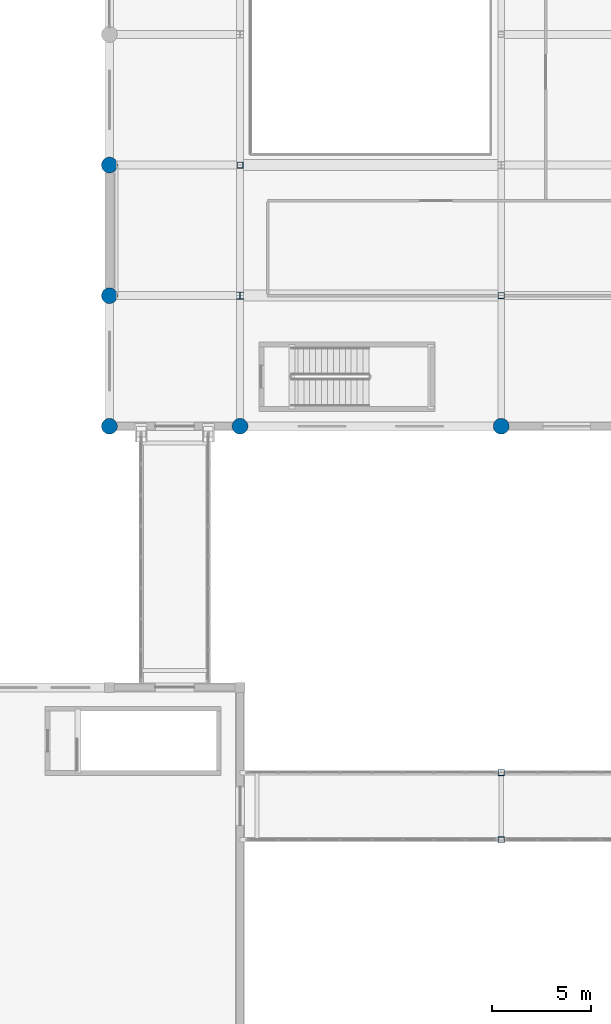
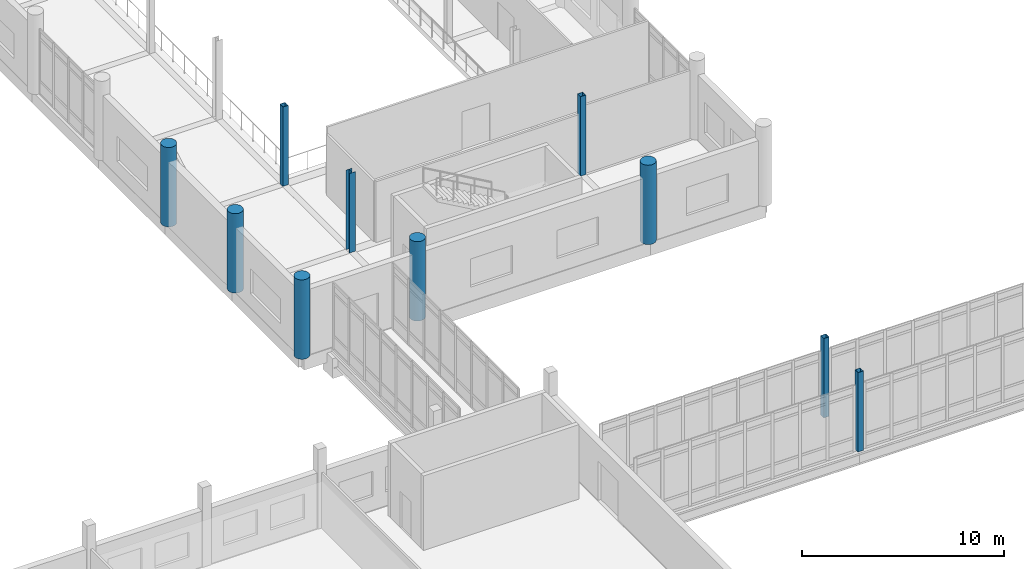
# One storey, part 2 of 101: 10 columns.
"""IFC4 building model written with IfcOpenShell, lengths in metres."""

import ifcopenshell
import ifcopenshell.guid

model = None  # the IFC model being written
_history = None  # IfcOwnerHistory: only IFC2X3 demands one
_inside = {}  # id of a spatial element -> (the spatial element, [elements in it])
_under = {}  # id of a project, library or spatial element -> (it, [spatial elements below it])
_declared = {}  # id of a project -> (the project, [libraries it declares])
_typed = {}  # id of a type object -> (the type object, [elements of that type])
_made_of = {}  # id of a material, layer set ... -> (it, [elements and type objects made of it])


def new_model(schema):
    """Start an empty IFC model of exactly this schema.

    Asked for "IFC4X3", IfcOpenShell would pick the latest addendum, in which some entities
    have other attributes; the version numbers below select the first issue.
    IFC2X3 requires an IfcOwnerHistory on every rooted entity: one is made here for all.
    """
    global model, _history
    if schema == "IFC4X3":
        model = ifcopenshell.file(schema_version=(4, 3, 0, 0))
    else:
        model = ifcopenshell.file(schema=schema)
    _inside.clear()
    _under.clear()
    _declared.clear()
    _typed.clear()
    _made_of.clear()
    _history = None
    if model.schema == "IFC2X3":
        org = make("IfcOrganization", Name="unknown")
        user = make(
            "IfcPersonAndOrganization",
            ThePerson=make("IfcPerson", FamilyName="unknown"),
            TheOrganization=org,
        )
        app = make(
            "IfcApplication",
            ApplicationDeveloper=org,
            Version="unknown",
            ApplicationFullName="unknown",
            ApplicationIdentifier="unknown",
        )
        _history = make(
            "IfcOwnerHistory",
            OwningUser=user,
            OwningApplication=app,
            ChangeAction="ADDED",
            CreationDate=0,
        )
    return model


def make(cls, **values):
    """One entity of the class cls with the attributes given. An attribute that is None is left unset."""
    return model.create_entity(
        cls, **{name: value for name, value in values.items() if value is not None}
    )


def rooted(cls, **values):
    """An entity with a GlobalId (a new one), such as an element, a storey or a relation."""
    return make(cls, GlobalId=ifcopenshell.guid.new(), OwnerHistory=_history, **values)


def si_unit(unit_type, name, prefix=None):
    """IfcSIUnit, for example si_unit("LENGTHUNIT", "METRE", prefix="MILLI")."""
    return make("IfcSIUnit", UnitType=unit_type, Prefix=prefix, Name=name)


def assignment(units):
    """IfcUnitAssignment: the units of a project."""
    return None if units is None else make("IfcUnitAssignment", Units=units)


def point(xyz):
    """IfcCartesianPoint."""
    return None if xyz is None else make("IfcCartesianPoint", Coordinates=xyz)


def direction(xyz):
    """IfcDirection."""
    return None if xyz is None else make("IfcDirection", DirectionRatios=xyz)


def frame(location, z_axis=None, x_axis=None):
    """IfcAxis2Placement3D, a coordinate frame: its origin and axes. An axis left out is left unset."""
    return make(
        "IfcAxis2Placement3D",
        Location=point(location),
        Axis=direction(z_axis),
        RefDirection=direction(x_axis),
    )


def frame_2d(location, x_axis=None):
    """IfcAxis2Placement2D, a coordinate frame in the plane: its origin and x axis."""
    return make(
        "IfcAxis2Placement2D", Location=point(location), RefDirection=direction(x_axis)
    )


def origin():
    """The frame at (0, 0, 0) with its axes left unset."""
    return frame((0.0, 0.0, 0.0))


def origin_2d():
    """The frame at (0, 0) in the plane with its x axis left unset."""
    return frame_2d((0.0, 0.0))


def place(relative_to, where):
    """IfcLocalPlacement: puts the frame where relative to a parent placement (None: the world)."""
    return make(
        "IfcLocalPlacement", PlacementRelTo=relative_to, RelativePlacement=where
    )


def context(
    kind, dimensions, precision=None, world=None, true_north=None, identifier=None
):
    """IfcGeometricRepresentationContext, for example the 3D "Model" context."""
    return make(
        "IfcGeometricRepresentationContext",
        ContextIdentifier=identifier,
        ContextType=kind,
        CoordinateSpaceDimension=dimensions,
        Precision=precision,
        WorldCoordinateSystem=world,
        TrueNorth=true_north,
    )


def subcontext(parent, identifier, kind, view, scale=None):
    """IfcGeometricRepresentationSubContext, for example "Body" below "Model"."""
    return make(
        "IfcGeometricRepresentationSubContext",
        ContextIdentifier=identifier,
        ContextType=kind,
        ParentContext=parent,
        TargetScale=scale,
        TargetView=view,
    )


def project(units=None, contexts=None):
    """IfcProject with its units and contexts."""
    return rooted(
        "IfcProject",
        Name="project",
        RepresentationContexts=contexts,
        UnitsInContext=assignment(units),
    )


def spatial(cls, under=None, at=None, **own):
    """A site, building, storey or space (cls), placed at a placement, below another one or the project."""
    s = rooted(cls, ObjectPlacement=at, **own)
    if under is not None:
        _under.setdefault(under.id(), (under, []))[1].append(s)
    return s


def profile(cls, at=None, kind="AREA", **sizes):
    """A parametric profile (cls). Its sizes go by their IFC names, for example OverallWidth=200.0."""
    return make(cls, ProfileType=kind, Position=at, **sizes)


def hollow_rectangle(**sizes):
    """IfcRectangleHollowProfileDef."""
    return profile("IfcRectangleHollowProfileDef", **sizes)


def circle(**sizes):
    """IfcCircleProfileDef."""
    return profile("IfcCircleProfileDef", **sizes)


def i_section(**sizes):
    """IfcIShapeProfileDef."""
    return profile("IfcIShapeProfileDef", **sizes)


def extrude(swept, where, along, depth):
    """IfcExtrudedAreaSolid: the profile swept, set in the frame where, extruded along a direction by depth."""
    return make(
        "IfcExtrudedAreaSolid",
        SweptArea=swept,
        Position=where,
        ExtrudedDirection=direction(along),
        Depth=depth,
    )


def shape(context_of_items, identifier, shape_type, items):
    """IfcShapeRepresentation: the items that make up one representation, for example the "Body"."""
    return make(
        "IfcShapeRepresentation",
        ContextOfItems=context_of_items,
        RepresentationIdentifier=identifier,
        RepresentationType=shape_type,
        Items=items,
    )


def material(Name=None, Category=None):
    """IfcMaterial."""
    return make("IfcMaterial", Name=Name, Category=Category)


def material_profile(
    of_material, cross_section, Name=None, Category=None, Priority=None
):
    """IfcMaterialProfile: a cross section and its material."""
    return make(
        "IfcMaterialProfile",
        Name=Name,
        Material=of_material,
        Profile=cross_section,
        Priority=Priority,
        Category=Category,
    )


def profile_set(profiles, Name=None, composite=None):
    """IfcMaterialProfileSet."""
    return make(
        "IfcMaterialProfileSet",
        Name=Name,
        MaterialProfiles=profiles,
        CompositeProfile=composite,
    )


def made_of(thing, what):
    """Note that an element or type object is made of a material, layer set ...; save() writes the relation."""
    if what is not None:
        _made_of.setdefault(what.id(), (what, []))[1].append(thing)
    return thing


def type_object(cls, material=None, **own):
    """A type object (cls), such as IfcWallType, which elements share."""
    return made_of(rooted(cls, **own), material)


def element(
    cls,
    number,
    at=None,
    inside=None,
    cuts=None,
    type_object=None,
    material=None,
    context=None,
    identifier="Body",
    shape_type=None,
    held_by="IfcProductDefinitionShape",
    body=None,
    shapes=None,
    **own,
):
    """One element of the class cls, such as IfcWall. Its Tag is "e" and its number.

    at: its placement. inside: the storey or other place that contains it. cuts: it is an
    opening in that element (IfcRelVoidsElement). A single representation is given by context,
    identifier, shape_type and body (its items); several are given by shapes. held_by: the class
    of the entity that holds the representations. save() writes the other relations.
    """
    e = rooted(cls, Tag="e%d" % number, ObjectPlacement=at, **own)
    if body is not None:
        shapes = [shape(context, identifier, shape_type, body)]
    if shapes is not None:
        e.Representation = make(held_by, Representations=shapes)
    if inside is not None:
        _inside.setdefault(inside.id(), (inside, []))[1].append(e)
    if cuts is not None:
        rooted(
            "IfcRelVoidsElement", RelatingBuildingElement=cuts, RelatedOpeningElement=e
        )
    if type_object is not None:
        _typed.setdefault(type_object.id(), (type_object, []))[1].append(e)
    return made_of(e, material)


def aggregate(whole, parts):
    """IfcRelAggregates: a whole, such as a stair, and the parts it consists of."""
    return rooted("IfcRelAggregates", RelatingObject=whole, RelatedObjects=parts)


def save(model, path):
    """Write the relations noted so far, then the file.

    IfcRelAggregates (storeys below a building ...), IfcRelContainedInSpatialStructure (elements
    in a storey), IfcRelDefinesByType, IfcRelAssociatesMaterial and IfcRelDeclares: one each for
    every whole, place, type object, material and project.
    """
    for whole, parts in _under.values():
        aggregate(whole, parts)
    for where, things in _inside.values():
        rooted(
            "IfcRelContainedInSpatialStructure",
            RelatedElements=things,
            RelatingStructure=where,
        )
    for kind, things in _typed.values():
        rooted("IfcRelDefinesByType", RelatedObjects=things, RelatingType=kind)
    for what, things in _made_of.values():
        rooted("IfcRelAssociatesMaterial", RelatedObjects=things, RelatingMaterial=what)
    for by, libraries in _declared.values():
        rooted("IfcRelDeclares", RelatingContext=by, RelatedDefinitions=libraries)
    model.write(path)


model = new_model("IFC4")

# Units and contexts
model_context = context("Model", 3, precision=1e-05, world=origin(), true_north=direction((0.0, 1.0)))
body_context = subcontext(model_context, "Body", "Model", "MODEL_VIEW")
ifc_project = project(units=[si_unit("LENGTHUNIT", "METRE"), si_unit("AREAUNIT", "SQUARE_METRE"), si_unit("VOLUMEUNIT", "CUBIC_METRE"), si_unit("PLANEANGLEUNIT", "RADIAN"), si_unit("MASSUNIT", "GRAM", prefix="KILO")], contexts=[model_context])

# Site, building, storey
site_placement = place(None, origin())
site = spatial("IfcSite", under=ifc_project, at=site_placement, CompositionType="ELEMENT")
building_placement = place(site_placement, origin())
building = spatial("IfcBuilding", under=site, at=building_placement, Name="Dornvale Research Institute", CompositionType="ELEMENT")
storey_placement = place(building_placement, frame((0.0, 0.0, 10.199951171875)))
storey = spatial("IfcBuildingStorey", under=building, at=storey_placement, Name="L02", CompositionType="ELEMENT", Elevation=10.199951171875)

# Columns
ifc_material_1 = material(Name="Concrete f'c 45 MPa (C35/45)", Category="concrete")
ifc_material_profile_1 = material_profile(ifc_material_1, circle(Radius=0.39990234375, at=origin_2d()), Name="RC DIA 800")
ifc_profile_set_1 = profile_set([ifc_material_profile_1], Name="Concrete f'c 45 MPa (C35/45)")
column_type_1 = type_object("IfcColumnType", Name="Column_RCDia800_Ext", PredefinedType="COLUMN", material=ifc_profile_set_1)
for number, where, z_axis, x_axis, name in (
    (1, (39.60009765625, 39.60009765625, 0.0), (0.0, 0.0, 1.0), (1.0, 0.0, 0.0), "L02 column #1082"),
    (2, (39.60009765625, 46.199951171875, 0.0), (0.0, 0.0, 1.0), (1.0, 0.0, 0.0), "L02 column #1083"),
    (3, (39.60009765625, 52.800048828125, 0.0), (0.0, 0.0, 1.0), (1.0, 0.0, 0.0), "L02 column #1084"),
    (4, (46.199951171875, 39.60009765625, 0.0), (0.0, 0.0, 1.0), (1.0, 0.0, 0.0), "L02 column #1090"),
    (5, (59.39990234375, 39.60009765625, 0.0), (0.0, 0.0, 1.0), (1.0, 0.0, 0.0), "L02 column #1098"),
):
    element("IfcColumn", number, at=place(storey_placement, frame(where, z_axis=z_axis, x_axis=x_axis)), inside=storey, type_object=column_type_1, Name=name, PredefinedType="COLUMN", context=body_context, shape_type="SweptSolid", body=[
        extrude(circle(Radius=0.39990234375, at=origin_2d()), origin(), (0.0, 0.0, 1.0), 4.800048828125),
    ])
ifc_material_2 = material(Name="Steel ASTM A500 Grade C", Category="steel")
ifc_material_profile_2 = material_profile(ifc_material_2, hollow_rectangle(XDim=0.304931640625, YDim=0.304931640625, WallThickness=0.01171875, at=origin_2d()), Name="HSS305X305X12.7")
ifc_profile_set_2 = profile_set([ifc_material_profile_2], Name="Steel ASTM A500 Grade C")
column_type_2 = type_object("IfcColumnType", Name="Column_Steel_HSS305", PredefinedType="COLUMN", material=ifc_profile_set_2)
for number, where, z_axis, x_axis, name in (
    (6, (46.199951171875, 52.800048828125, 0.0), (0.0, 0.0, 1.0), (1.0, 0.0, 0.0), "L02 column #1092"),
    (7, (59.39990234375, 46.199951171875, 0.0), (0.0, 0.0, 1.0), (1.0, 0.0, 0.0), "L02 column #1099"),
):
    element("IfcColumn", number, at=place(storey_placement, frame(where, z_axis=z_axis, x_axis=x_axis)), inside=storey, type_object=column_type_2, Name=name, PredefinedType="COLUMN", context=body_context, shape_type="SweptSolid", body=[
        extrude(hollow_rectangle(XDim=0.304931640625, YDim=0.304931640625, WallThickness=0.01171875, at=origin_2d()), origin(), (0.0, 0.0, 1.0), 4.800048828125),
    ])
ifc_material_3 = material(Name="Steel ASTM A500 Grade C", Category="steel")
ifc_material_profile_3 = material_profile(ifc_material_3, hollow_rectangle(XDim=0.304931640625, YDim=0.304931640625, WallThickness=0.01171875, at=origin_2d()), Name="HSS305X305X12.7")
ifc_profile_set_3 = profile_set([ifc_material_profile_3], Name="Steel ASTM A500 Grade C")
column_type_3 = type_object("IfcColumnType", Name="Column_Steel_HSS305_Ext", PredefinedType="COLUMN", material=ifc_profile_set_3)
for number, where, z_axis, x_axis, name in (
    (8, (59.39990234375, 18.699951171875, 0.0), (0.0, 0.0, 1.0), (1.0, 0.0, 0.0), "L02 cloister link bridge pier #34"),
    (9, (59.39990234375, 22.10009765625, 0.0), (0.0, 0.0, 1.0), (1.0, 0.0, 0.0), "L02 cloister link bridge pier #46"),
):
    element("IfcColumn", number, at=place(storey_placement, frame(where, z_axis=z_axis, x_axis=x_axis)), inside=storey, type_object=column_type_3, Name=name, PredefinedType="COLUMN", context=body_context, shape_type="SweptSolid", body=[
        extrude(hollow_rectangle(XDim=0.304931640625, YDim=0.304931640625, WallThickness=0.01171875, at=origin_2d()), origin(), (0.0, 0.0, 1.0), 4.800048828125),
    ])
ifc_material_4 = material(Name="Steel ASTM A992 Grade 50", Category="steel")
ifc_material_profile_4 = material_profile(ifc_material_4, i_section(OverallWidth=0.35595703125, OverallDepth=0.35595703125, WebThickness=0.01123046875, FlangeThickness=0.01806640625, at=origin_2d()), Name="W14X90")
ifc_profile_set_4 = profile_set([ifc_material_profile_4], Name="Steel ASTM A992 Grade 50")
column_type_4 = type_object("IfcColumnType", Name="Column_Steel_W14X90", PredefinedType="COLUMN", material=ifc_profile_set_4)
column_placement = place(storey_placement, frame((46.199951171875, 46.199951171875, 0.0), z_axis=(0.0, 0.0, 1.0), x_axis=(1.0, 0.0, 0.0)))
element("IfcColumn", 10, at=column_placement, inside=storey, type_object=column_type_4, Name="L02 column #1091", PredefinedType="COLUMN", context=body_context, shape_type="SweptSolid", body=[
    extrude(i_section(OverallWidth=0.35595703125, OverallDepth=0.35595703125, WebThickness=0.01123046875, FlangeThickness=0.01806640625, at=origin_2d()), origin(), (0.0, 0.0, 1.0), 4.800048828125),
])

save(model, "model.ifc")
